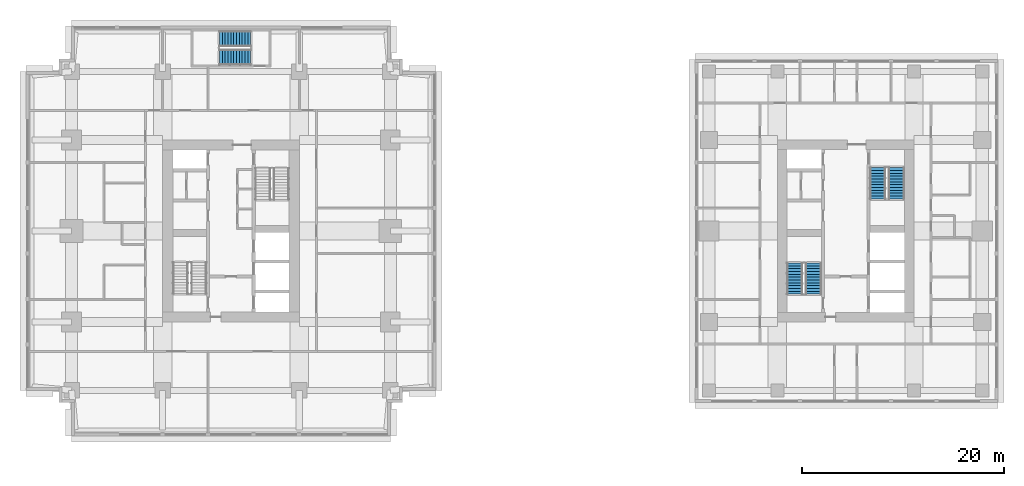
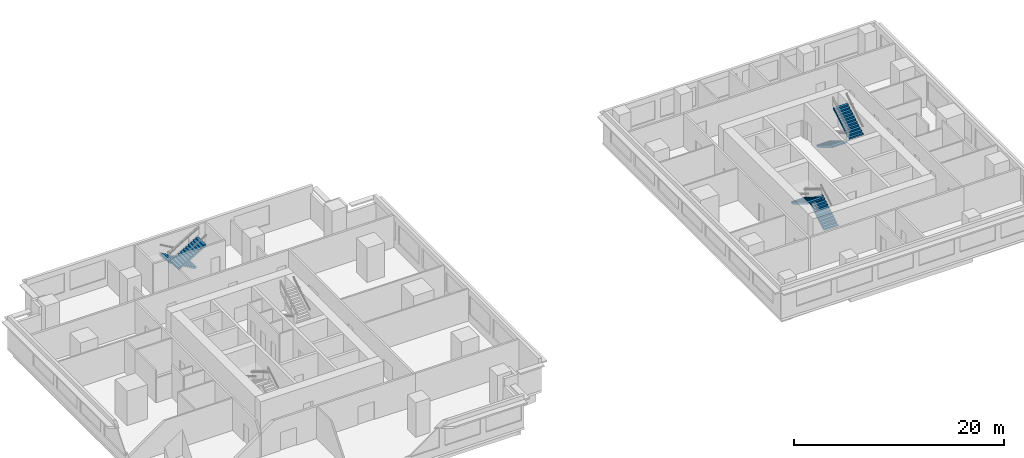
# One storey, part 9 of 11: 6 stair flights, 3 elements without a shape of their own.
"""IFC4 building model written with IfcOpenShell, lengths in metres."""

import ifcopenshell
import ifcopenshell.guid

model = None  # the IFC model being written
_history = None  # IfcOwnerHistory: only IFC2X3 demands one
_inside = {}  # id of a spatial element -> (the spatial element, [elements in it])
_under = {}  # id of a project, library or spatial element -> (it, [spatial elements below it])
_declared = {}  # id of a project -> (the project, [libraries it declares])
_typed = {}  # id of a type object -> (the type object, [elements of that type])
_made_of = {}  # id of a material, layer set ... -> (it, [elements and type objects made of it])


def new_model(schema):
    """Start an empty IFC model of exactly this schema.

    Asked for "IFC4X3", IfcOpenShell would pick the latest addendum, in which some entities
    have other attributes; the version numbers below select the first issue.
    IFC2X3 requires an IfcOwnerHistory on every rooted entity: one is made here for all.
    """
    global model, _history
    if schema == "IFC4X3":
        model = ifcopenshell.file(schema_version=(4, 3, 0, 0))
    else:
        model = ifcopenshell.file(schema=schema)
    _inside.clear()
    _under.clear()
    _declared.clear()
    _typed.clear()
    _made_of.clear()
    _history = None
    if model.schema == "IFC2X3":
        org = make("IfcOrganization", Name="unknown")
        user = make(
            "IfcPersonAndOrganization",
            ThePerson=make("IfcPerson", FamilyName="unknown"),
            TheOrganization=org,
        )
        app = make(
            "IfcApplication",
            ApplicationDeveloper=org,
            Version="unknown",
            ApplicationFullName="unknown",
            ApplicationIdentifier="unknown",
        )
        _history = make(
            "IfcOwnerHistory",
            OwningUser=user,
            OwningApplication=app,
            ChangeAction="ADDED",
            CreationDate=0,
        )
    return model


def make(cls, **values):
    """One entity of the class cls with the attributes given. An attribute that is None is left unset."""
    return model.create_entity(
        cls, **{name: value for name, value in values.items() if value is not None}
    )


def rooted(cls, **values):
    """An entity with a GlobalId (a new one), such as an element, a storey or a relation."""
    return make(cls, GlobalId=ifcopenshell.guid.new(), OwnerHistory=_history, **values)


def si_unit(unit_type, name, prefix=None):
    """IfcSIUnit, for example si_unit("LENGTHUNIT", "METRE", prefix="MILLI")."""
    return make("IfcSIUnit", UnitType=unit_type, Prefix=prefix, Name=name)


def assignment(units):
    """IfcUnitAssignment: the units of a project."""
    return None if units is None else make("IfcUnitAssignment", Units=units)


def point(xyz):
    """IfcCartesianPoint."""
    return None if xyz is None else make("IfcCartesianPoint", Coordinates=xyz)


def direction(xyz):
    """IfcDirection."""
    return None if xyz is None else make("IfcDirection", DirectionRatios=xyz)


def frame(location, z_axis=None, x_axis=None):
    """IfcAxis2Placement3D, a coordinate frame: its origin and axes. An axis left out is left unset."""
    return make(
        "IfcAxis2Placement3D",
        Location=point(location),
        Axis=direction(z_axis),
        RefDirection=direction(x_axis),
    )


def origin():
    """The frame at (0, 0, 0) with its axes left unset."""
    return frame((0.0, 0.0, 0.0))


def place(relative_to, where):
    """IfcLocalPlacement: puts the frame where relative to a parent placement (None: the world)."""
    return make(
        "IfcLocalPlacement", PlacementRelTo=relative_to, RelativePlacement=where
    )


def context(
    kind, dimensions, precision=None, world=None, true_north=None, identifier=None
):
    """IfcGeometricRepresentationContext, for example the 3D "Model" context."""
    return make(
        "IfcGeometricRepresentationContext",
        ContextIdentifier=identifier,
        ContextType=kind,
        CoordinateSpaceDimension=dimensions,
        Precision=precision,
        WorldCoordinateSystem=world,
        TrueNorth=true_north,
    )


def subcontext(parent, identifier, kind, view, scale=None):
    """IfcGeometricRepresentationSubContext, for example "Body" below "Model"."""
    return make(
        "IfcGeometricRepresentationSubContext",
        ContextIdentifier=identifier,
        ContextType=kind,
        ParentContext=parent,
        TargetScale=scale,
        TargetView=view,
    )


def project(units=None, contexts=None):
    """IfcProject with its units and contexts."""
    return rooted(
        "IfcProject",
        Name="project",
        RepresentationContexts=contexts,
        UnitsInContext=assignment(units),
    )


def spatial(cls, under=None, at=None, **own):
    """A site, building, storey or space (cls), placed at a placement, below another one or the project."""
    s = rooted(cls, ObjectPlacement=at, **own)
    if under is not None:
        _under.setdefault(under.id(), (under, []))[1].append(s)
    return s


def polyline(points):
    """IfcPolyline through the points."""
    return make("IfcPolyline", Points=[point(p) for p in points])


def outline(outer, holes=None, kind="AREA"):
    """IfcArbitraryClosedProfileDef: a profile drawn as a closed curve; with holes, ...WithVoids."""
    if holes is None:
        return make("IfcArbitraryClosedProfileDef", ProfileType=kind, OuterCurve=outer)
    return make(
        "IfcArbitraryProfileDefWithVoids",
        ProfileType=kind,
        OuterCurve=outer,
        InnerCurves=holes,
    )


def extrude(swept, where, along, depth):
    """IfcExtrudedAreaSolid: the profile swept, set in the frame where, extruded along a direction by depth."""
    return make(
        "IfcExtrudedAreaSolid",
        SweptArea=swept,
        Position=where,
        ExtrudedDirection=direction(along),
        Depth=depth,
    )


def shape(context_of_items, identifier, shape_type, items):
    """IfcShapeRepresentation: the items that make up one representation, for example the "Body"."""
    return make(
        "IfcShapeRepresentation",
        ContextOfItems=context_of_items,
        RepresentationIdentifier=identifier,
        RepresentationType=shape_type,
        Items=items,
    )


def material(Name=None, Category=None):
    """IfcMaterial."""
    return make("IfcMaterial", Name=Name, Category=Category)


def made_of(thing, what):
    """Note that an element or type object is made of a material, layer set ...; save() writes the relation."""
    if what is not None:
        _made_of.setdefault(what.id(), (what, []))[1].append(thing)
    return thing


def type_object(cls, material=None, **own):
    """A type object (cls), such as IfcWallType, which elements share."""
    return made_of(rooted(cls, **own), material)


def element(
    cls,
    number,
    at=None,
    inside=None,
    cuts=None,
    type_object=None,
    material=None,
    context=None,
    identifier="Body",
    shape_type=None,
    held_by="IfcProductDefinitionShape",
    body=None,
    shapes=None,
    **own,
):
    """One element of the class cls, such as IfcWall. Its Tag is "e" and its number.

    at: its placement. inside: the storey or other place that contains it. cuts: it is an
    opening in that element (IfcRelVoidsElement). A single representation is given by context,
    identifier, shape_type and body (its items); several are given by shapes. held_by: the class
    of the entity that holds the representations. save() writes the other relations.
    """
    e = rooted(cls, Tag="e%d" % number, ObjectPlacement=at, **own)
    if body is not None:
        shapes = [shape(context, identifier, shape_type, body)]
    if shapes is not None:
        e.Representation = make(held_by, Representations=shapes)
    if inside is not None:
        _inside.setdefault(inside.id(), (inside, []))[1].append(e)
    if cuts is not None:
        rooted(
            "IfcRelVoidsElement", RelatingBuildingElement=cuts, RelatedOpeningElement=e
        )
    if type_object is not None:
        _typed.setdefault(type_object.id(), (type_object, []))[1].append(e)
    return made_of(e, material)


def aggregate(whole, parts):
    """IfcRelAggregates: a whole, such as a stair, and the parts it consists of."""
    return rooted("IfcRelAggregates", RelatingObject=whole, RelatedObjects=parts)


def save(model, path):
    """Write the relations noted so far, then the file.

    IfcRelAggregates (storeys below a building ...), IfcRelContainedInSpatialStructure (elements
    in a storey), IfcRelDefinesByType, IfcRelAssociatesMaterial and IfcRelDeclares: one each for
    every whole, place, type object, material and project.
    """
    for whole, parts in _under.values():
        aggregate(whole, parts)
    for where, things in _inside.values():
        rooted(
            "IfcRelContainedInSpatialStructure",
            RelatedElements=things,
            RelatingStructure=where,
        )
    for kind, things in _typed.values():
        rooted("IfcRelDefinesByType", RelatedObjects=things, RelatingType=kind)
    for what, things in _made_of.values():
        rooted("IfcRelAssociatesMaterial", RelatedObjects=things, RelatingMaterial=what)
    for by, libraries in _declared.values():
        rooted("IfcRelDeclares", RelatingContext=by, RelatedDefinitions=libraries)
    model.write(path)


model = new_model("IFC4")

# Units and contexts
model_context = context("Model", 3, precision=1e-05, world=origin(), true_north=direction((0.0, 1.0)))
body_context = subcontext(model_context, "Body", "Model", "MODEL_VIEW")
ifc_project = project(units=[si_unit("LENGTHUNIT", "METRE"), si_unit("AREAUNIT", "SQUARE_METRE"), si_unit("VOLUMEUNIT", "CUBIC_METRE"), si_unit("PLANEANGLEUNIT", "RADIAN"), si_unit("MASSUNIT", "GRAM", prefix="KILO")], contexts=[model_context])

# Site, building, storey
site_placement = place(None, origin())
site = spatial("IfcSite", under=ifc_project, at=site_placement, CompositionType="ELEMENT")
building_placement = place(site_placement, origin())
building = spatial("IfcBuilding", under=site, at=building_placement, Name="Namib Vertical Campus", CompositionType="ELEMENT")
storey_placement = place(building_placement, frame((0.0, 0.0, 217.0)))
storey = spatial("IfcBuildingStorey", under=building, at=storey_placement, Name="L51", CompositionType="ELEMENT", Elevation=217.0)

# Stair, stair flights
ifc_material_1 = material(Name="Concrete C40/50 precast", Category="concrete")
stair_type_1 = type_object("IfcStairType", Name="Exit stair 4000 rise 24 risers 3350 wide", PredefinedType="HALF_TURN_STAIR", material=ifc_material_1)
stair_1_placement = place(storey_placement, origin())
stair_1 = element("IfcStair", 1, at=stair_1_placement, inside=storey, type_object=stair_type_1, Name="Exit stair A-S3 L51", PredefinedType="HALF_TURN_STAIR")
ifc_material_2 = material(Name="Concrete C40/50 precast", Category="concrete")
stair_flight_type_1 = type_object("IfcStairFlightType", Name="Stair flight 12 risers 167 1525 wide", PredefinedType="STRAIGHT", material=ifc_material_2)
stair_flight_1_placement = place(storey_placement, frame((22.199951171875, 39.237548828125, 0.0), z_axis=(0.0, 0.0, 1.0), x_axis=(-1.0, 0.0, 0.0)))
stair_flight_1 = element("IfcStairFlight", 2, at=stair_flight_1_placement, type_object=stair_flight_type_1, Name="A-S3 flight 1", NumberOfRisers=12, NumberOfTreads=11, PredefinedType="STRAIGHT", RiserHeight=0.166666667, TreadLength=0.28, context=body_context, shape_type="SweptSolid", body=[
    extrude(outline(polyline([(0.0, 0.0), (0.0, 0.166748046875), (0.280029296875, 0.166748046875), (0.280029296875, 0.333251953125), (0.56005859375, 0.333251953125), (0.56005859375, 0.5), (0.840087890625, 0.5), (0.840087890625, 0.666748046875), (1.1201171875, 0.666748046875), (1.1201171875, 0.833251953125), (1.39990234375, 0.833251953125), (1.39990234375, 1.0), (1.679931640625, 1.0), (1.679931640625, 1.166748046875), (1.9599609375, 1.166748046875), (1.9599609375, 1.333251953125), (2.239990234375, 1.333251953125), (2.239990234375, 1.5), (2.52001953125, 1.5), (2.52001953125, 1.666748046875), (2.800048828125, 1.666748046875), (2.800048828125, 1.833251953125), (3.080078125, 1.833251953125), (3.080078125, 2.0), (3.080078125, 1.658935546875), (0.29296875, 0.0), (0.0, 0.0)])), frame((0.0, 0.762451171875, 0.0), z_axis=(0.0, -1.0, 0.0), x_axis=(1.0, 0.0, 0.0)), (0.0, 0.0, 1.0), 1.52490234375),
])
stair_flight_2_placement = place(storey_placement, frame((19.1201171875, 37.41259765625, 2.0), z_axis=(0.0, 0.0, 1.0), x_axis=(1.0, 0.0, 0.0)))
stair_flight_2 = element("IfcStairFlight", 3, at=stair_flight_2_placement, type_object=stair_flight_type_1, Name="A-S3 flight 2", NumberOfRisers=12, NumberOfTreads=11, PredefinedType="STRAIGHT", RiserHeight=0.166666667, TreadLength=0.28, context=body_context, shape_type="SweptSolid", body=[
    extrude(outline(polyline([(0.0, 0.0), (0.0, 0.166748046875), (0.280029296875, 0.166748046875), (0.280029296875, 0.333251953125), (0.56005859375, 0.333251953125), (0.56005859375, 0.5), (0.840087890625, 0.5), (0.840087890625, 0.666748046875), (1.1201171875, 0.666748046875), (1.1201171875, 0.833251953125), (1.39990234375, 0.833251953125), (1.39990234375, 1.0), (1.679931640625, 1.0), (1.679931640625, 1.166748046875), (1.9599609375, 1.166748046875), (1.9599609375, 1.333251953125), (2.239990234375, 1.333251953125), (2.239990234375, 1.5), (2.52001953125, 1.5), (2.52001953125, 1.666748046875), (2.800048828125, 1.666748046875), (2.800048828125, 1.833251953125), (3.080078125, 1.833251953125), (3.080078125, 2.0), (3.080078125, 1.658935546875), (0.29296875, 0.0), (0.0, 0.0)])), frame((0.0, 0.762451171875, 0.0), z_axis=(0.0, -1.0, 0.0), x_axis=(1.0, 0.0, 0.0)), (0.0, 0.0, 1.0), 1.52490234375),
])
aggregate(stair_1, [stair_flight_1, stair_flight_2])

ifc_material_3 = material(Name="Concrete C40/50 precast", Category="concrete")
stair_type_2 = type_object("IfcStairType", Name="Exit stair 4000 rise 24 risers 3400 wide", PredefinedType="HALF_TURN_STAIR", material=ifc_material_3)
stair_2_placement = place(storey_placement, origin())
stair_2 = element("IfcStair", 4, at=stair_2_placement, inside=storey, type_object=stair_type_2, Name="Exit stair B-S1 L51", PredefinedType="HALF_TURN_STAIR")
ifc_material_4 = material(Name="Concrete C40/50 precast", Category="concrete")
stair_flight_type_2 = type_object("IfcStairFlightType", Name="Stair flight 12 risers 167 1550 wide", PredefinedType="STRAIGHT", material=ifc_material_4)
stair_flight_3_placement = place(storey_placement, frame((77.824951171875, 14.0, 0.0), z_axis=(0.0, 0.0, 1.0), x_axis=(0.0, 1.0, 0.0)))
stair_flight_3 = element("IfcStairFlight", 5, at=stair_flight_3_placement, type_object=stair_flight_type_2, Name="B-S1 flight 1", NumberOfRisers=12, NumberOfTreads=11, PredefinedType="STRAIGHT", RiserHeight=0.166666667, TreadLength=0.28, context=body_context, shape_type="SweptSolid", body=[
    extrude(outline(polyline([(0.0, 0.0), (0.0, 0.166748046875), (0.280029296875, 0.166748046875), (0.280029296875, 0.333251953125), (0.56005859375, 0.333251953125), (0.56005859375, 0.5), (0.840087890625, 0.5), (0.840087890625, 0.666748046875), (1.1201171875, 0.666748046875), (1.1201171875, 0.833251953125), (1.39990234375, 0.833251953125), (1.39990234375, 1.0), (1.679931640625, 1.0), (1.679931640625, 1.166748046875), (1.9599609375, 1.166748046875), (1.9599609375, 1.333251953125), (2.239990234375, 1.333251953125), (2.239990234375, 1.5), (2.52001953125, 1.5), (2.52001953125, 1.666748046875), (2.800048828125, 1.666748046875), (2.800048828125, 1.833251953125), (3.080078125, 1.833251953125), (3.080078125, 2.0), (3.080078125, 1.658935546875), (0.29296875, 0.0), (0.0, 0.0)])), frame((0.0, 0.77490234375, 0.0), z_axis=(0.0, -1.0, 0.0), x_axis=(1.0, 0.0, 0.0)), (0.0, 0.0, 1.0), 1.550048828125),
])
stair_flight_4_placement = place(storey_placement, frame((75.97509765625, 17.080078125, 2.0), z_axis=(0.0, 0.0, 1.0), x_axis=(0.0, -1.0, 0.0)))
stair_flight_4 = element("IfcStairFlight", 6, at=stair_flight_4_placement, type_object=stair_flight_type_2, Name="B-S1 flight 2", NumberOfRisers=12, NumberOfTreads=11, PredefinedType="STRAIGHT", RiserHeight=0.166666667, TreadLength=0.28, context=body_context, shape_type="SweptSolid", body=[
    extrude(outline(polyline([(0.0, 0.0), (0.0, 0.166748046875), (0.280029296875, 0.166748046875), (0.280029296875, 0.333251953125), (0.56005859375, 0.333251953125), (0.56005859375, 0.5), (0.840087890625, 0.5), (0.840087890625, 0.666748046875), (1.1201171875, 0.666748046875), (1.1201171875, 0.833251953125), (1.39990234375, 0.833251953125), (1.39990234375, 1.0), (1.679931640625, 1.0), (1.679931640625, 1.166748046875), (1.9599609375, 1.166748046875), (1.9599609375, 1.333251953125), (2.239990234375, 1.333251953125), (2.239990234375, 1.5), (2.52001953125, 1.5), (2.52001953125, 1.666748046875), (2.800048828125, 1.666748046875), (2.800048828125, 1.833251953125), (3.080078125, 1.833251953125), (3.080078125, 2.0), (3.080078125, 1.658935546875), (0.29296875, 0.0), (0.0, 0.0)])), frame((0.0, 0.77490234375, 0.0), z_axis=(0.0, -1.0, 0.0), x_axis=(1.0, 0.0, 0.0)), (0.0, 0.0, 1.0), 1.550048828125),
])
aggregate(stair_2, [stair_flight_3, stair_flight_4])

stair_3_placement = place(storey_placement, origin())
stair_3 = element("IfcStair", 7, at=stair_3_placement, inside=storey, type_object=stair_type_2, Name="Exit stair B-S2 L51", PredefinedType="HALF_TURN_STAIR")
stair_flight_5_placement = place(storey_placement, frame((84.175048828125, 26.5, 0.0), z_axis=(0.0, 0.0, 1.0), x_axis=(0.0, -1.0, 0.0)))
stair_flight_5 = element("IfcStairFlight", 8, at=stair_flight_5_placement, type_object=stair_flight_type_2, Name="B-S2 flight 1", NumberOfRisers=12, NumberOfTreads=11, PredefinedType="STRAIGHT", RiserHeight=0.166666667, TreadLength=0.28, context=body_context, shape_type="SweptSolid", body=[
    extrude(outline(polyline([(0.0, 0.0), (0.0, 0.166748046875), (0.280029296875, 0.166748046875), (0.280029296875, 0.333251953125), (0.56005859375, 0.333251953125), (0.56005859375, 0.5), (0.840087890625, 0.5), (0.840087890625, 0.666748046875), (1.1201171875, 0.666748046875), (1.1201171875, 0.833251953125), (1.39990234375, 0.833251953125), (1.39990234375, 1.0), (1.679931640625, 1.0), (1.679931640625, 1.166748046875), (1.9599609375, 1.166748046875), (1.9599609375, 1.333251953125), (2.239990234375, 1.333251953125), (2.239990234375, 1.5), (2.52001953125, 1.5), (2.52001953125, 1.666748046875), (2.800048828125, 1.666748046875), (2.800048828125, 1.833251953125), (3.080078125, 1.833251953125), (3.080078125, 2.0), (3.080078125, 1.658935546875), (0.29296875, 0.0), (0.0, 0.0)])), frame((0.0, 0.77490234375, 0.0), z_axis=(0.0, -1.0, 0.0), x_axis=(1.0, 0.0, 0.0)), (0.0, 0.0, 1.0), 1.550048828125),
])
stair_flight_6_placement = place(storey_placement, frame((86.02490234375, 23.419921875, 2.0), z_axis=(0.0, 0.0, 1.0), x_axis=(0.0, 1.0, 0.0)))
stair_flight_6 = element("IfcStairFlight", 9, at=stair_flight_6_placement, type_object=stair_flight_type_2, Name="B-S2 flight 2", NumberOfRisers=12, NumberOfTreads=11, PredefinedType="STRAIGHT", RiserHeight=0.166666667, TreadLength=0.28, context=body_context, shape_type="SweptSolid", body=[
    extrude(outline(polyline([(0.0, 0.0), (0.0, 0.166748046875), (0.280029296875, 0.166748046875), (0.280029296875, 0.333251953125), (0.56005859375, 0.333251953125), (0.56005859375, 0.5), (0.840087890625, 0.5), (0.840087890625, 0.666748046875), (1.1201171875, 0.666748046875), (1.1201171875, 0.833251953125), (1.39990234375, 0.833251953125), (1.39990234375, 1.0), (1.679931640625, 1.0), (1.679931640625, 1.166748046875), (1.9599609375, 1.166748046875), (1.9599609375, 1.333251953125), (2.239990234375, 1.333251953125), (2.239990234375, 1.5), (2.52001953125, 1.5), (2.52001953125, 1.666748046875), (2.800048828125, 1.666748046875), (2.800048828125, 1.833251953125), (3.080078125, 1.833251953125), (3.080078125, 2.0), (3.080078125, 1.658935546875), (0.29296875, 0.0), (0.0, 0.0)])), frame((0.0, 0.77490234375, 0.0), z_axis=(0.0, -1.0, 0.0), x_axis=(1.0, 0.0, 0.0)), (0.0, 0.0, 1.0), 1.550048828125),
])
aggregate(stair_3, [stair_flight_5, stair_flight_6])

save(model, "model.ifc")
